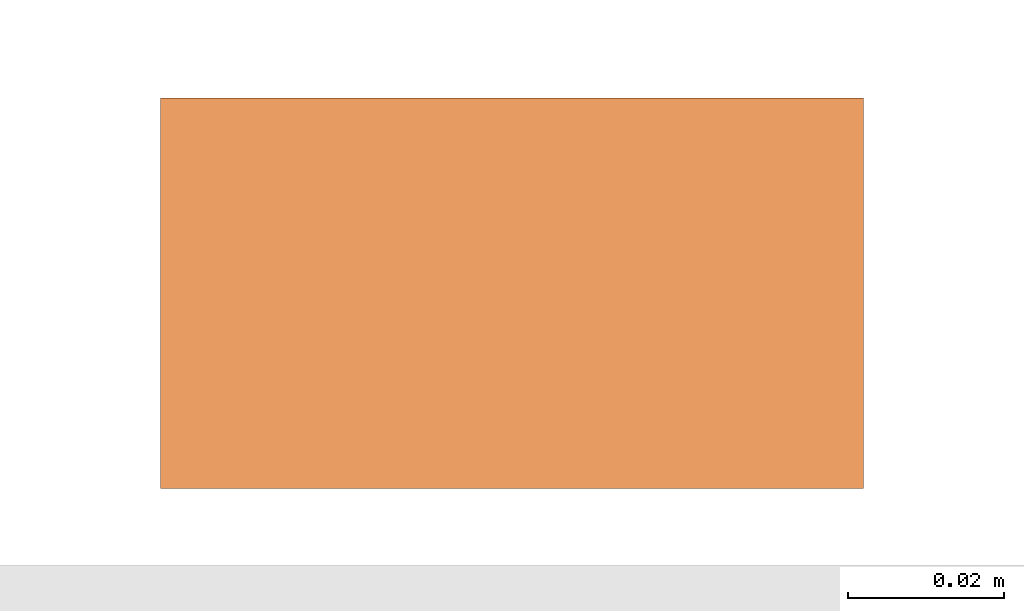
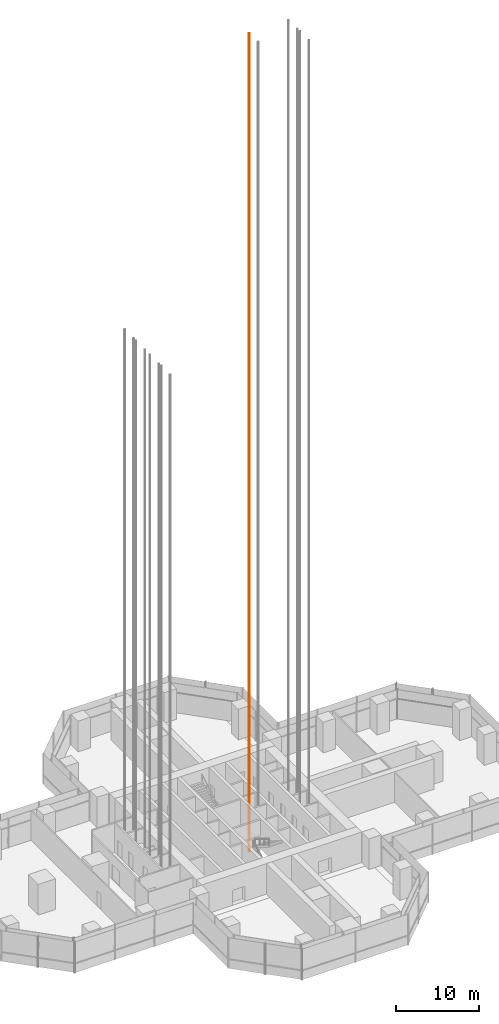
# One storey, part 29 of 34: 1 proxy.
"""IFC4 building model written with IfcOpenShell, lengths in metres."""

from ifc_helpers import new_model, si_unit, direction, frame, origin, origin_2d, place, context, subcontext, project, spatial, rectangle, extrude, material, element, save


model = new_model("IFC4")

# Units and contexts
model_context = context("Model", 3, precision=1e-05, world=origin(), true_north=direction((0.0, 1.0)))
body_context = subcontext(model_context, "Body", "Model", "MODEL_VIEW")
ifc_project = project(units=[si_unit("LENGTHUNIT", "METRE"), si_unit("AREAUNIT", "SQUARE_METRE"), si_unit("VOLUMEUNIT", "CUBIC_METRE"), si_unit("PLANEANGLEUNIT", "RADIAN"), si_unit("MASSUNIT", "GRAM", prefix="KILO")], contexts=[model_context])

# Site, building, storey
site_placement = place(None, origin())
site = spatial("IfcSite", under=ifc_project, at=site_placement, CompositionType="ELEMENT")
building_placement = place(site_placement, origin())
building = spatial("IfcBuilding", under=site, at=building_placement, Name="Mizan Broadcast Tower", CompositionType="ELEMENT")
storey_placement = place(building_placement, frame((0.0, 0.0, 194.39990234375)))
storey = spatial("IfcBuildingStorey", under=building, at=storey_placement, Name="L45", CompositionType="ELEMENT", Elevation=194.39990234375)

# Proxy
ifc_material = material(Name="Steel guide rail", Category="steel")
proxy_placement = place(storey_placement, frame((3.324951171875, 2.4599609375, -3.89990234375), z_axis=(0.0, 0.0, 1.0), x_axis=(1.0, 0.0, 0.0)))
element("IfcBuildingElementProxy", 1, at=proxy_placement, inside=storey, material=ifc_material, Name="Guide rail LD3-2", PredefinedType="NOTDEFINED", context=body_context, shape_type="SweptSolid", body=[
    extrude(rectangle(XDim=0.090087890625, YDim=0.050048828125, at=origin_2d()), origin(), (0.0, 0.0, 1.0), 120.570068359375),
])

save(model, "model.ifc")
